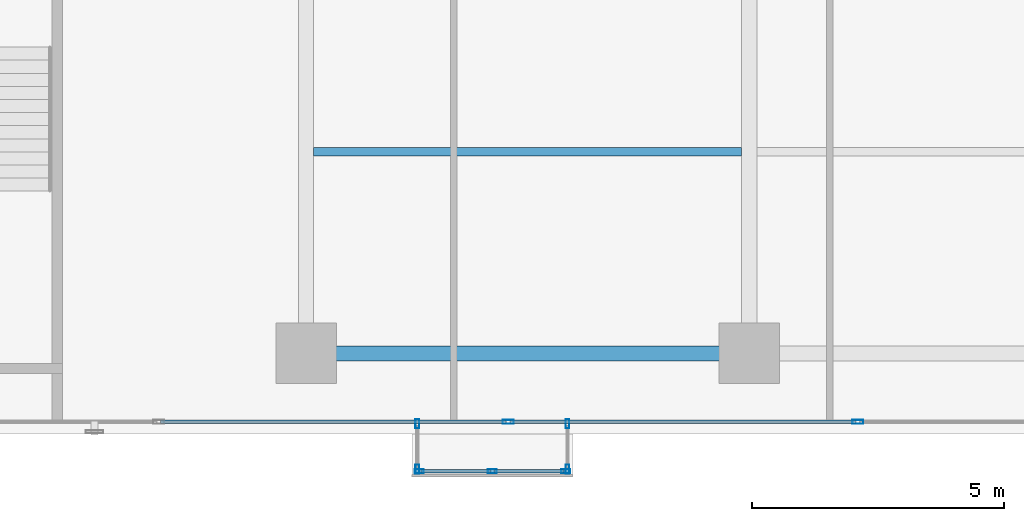
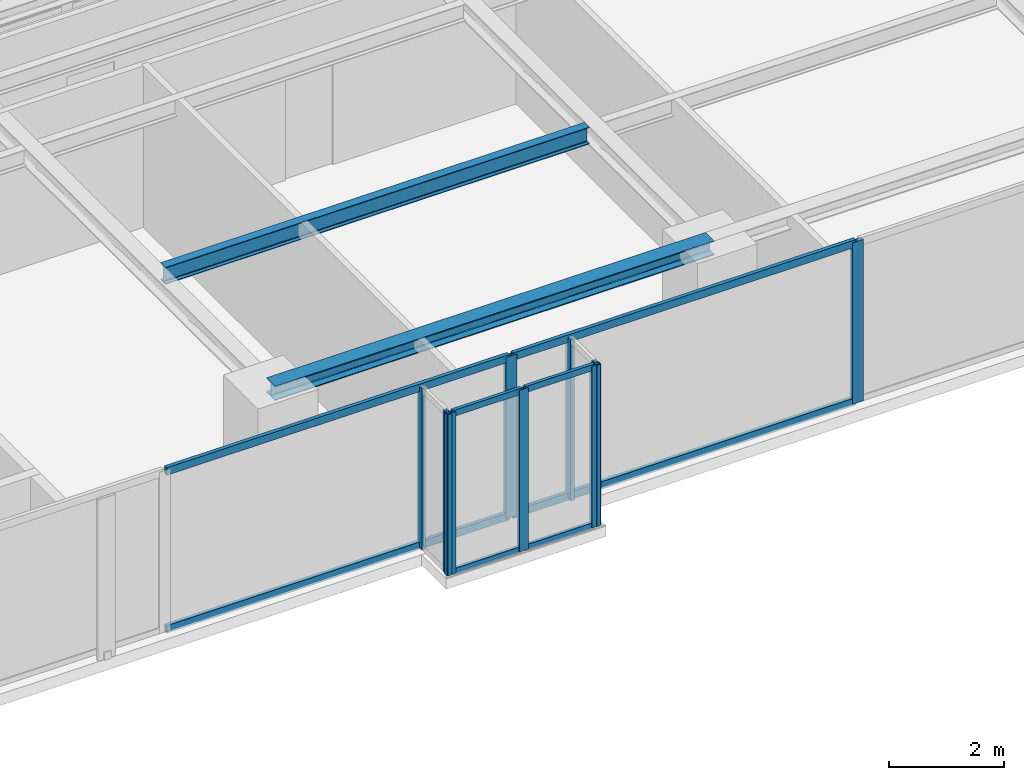
# One storey, part 10 of 26: 17 members, 2 beams, 4 elements without a shape of their own.
"""IFC4 building model written with IfcOpenShell, lengths in metres."""

from ifc_helpers import new_model, si_unit, direction, frame, origin, origin_with_axes, origin_2d, place, context, subcontext, project, spatial, hollow_rectangle, i_section, extrude, source, transform, mapped, material, layer, layer_set, material_profile, profile_set, type_object, element, aggregate, save


model = new_model("IFC4")

# Units and contexts
model_context = context("Model", 3, precision=1e-05, world=origin(), true_north=direction((0.0, 1.0)))
body_context = subcontext(model_context, "Body", "Model", "MODEL_VIEW")
ifc_project = project(units=[si_unit("LENGTHUNIT", "METRE"), si_unit("AREAUNIT", "SQUARE_METRE"), si_unit("VOLUMEUNIT", "CUBIC_METRE"), si_unit("PLANEANGLEUNIT", "RADIAN"), si_unit("MASSUNIT", "GRAM", prefix="KILO")], contexts=[model_context])

# Site, building, storey
site_placement = place(None, origin())
site = spatial("IfcSite", under=ifc_project, at=site_placement, CompositionType="ELEMENT")
building_placement = place(site_placement, origin())
building = spatial("IfcBuilding", under=site, at=building_placement, Name="Kolvaren Waterfront Exchange", CompositionType="ELEMENT")
storey_placement = place(building_placement, frame((0.0, 0.0, 195.60009765625)))
storey = spatial("IfcBuildingStorey", under=building, at=storey_placement, Name="L50", CompositionType="ELEMENT", Elevation=195.60009765625)

# Beams
ifc_material_1 = material(Name="Steel S355", Category="steel")
ifc_material_profile_1 = material_profile(ifc_material_1, i_section(OverallWidth=0.300048828125, OverallDepth=0.300048828125, WebThickness=0.010986328125, FlangeThickness=0.01904296875, FilletRadius=0.027099609375, at=origin_2d()), Name="HEB300")
ifc_profile_set_1 = profile_set([ifc_material_profile_1], Name="Steel S355")
beam_type_1 = type_object("IfcBeamType", Name="STR-BM-HEB300", PredefinedType="SPANDREL", material=ifc_profile_set_1)
beam_1_placement = place(storey_placement, frame((36.800048828125, 5.199951171875, 3.27001953125), z_axis=(1.0, 0.0, 0.0), x_axis=(0.0, 1.0, 0.0)))
element("IfcBeam", 1, at=beam_1_placement, inside=storey, type_object=beam_type_1, Name="L50 east-arm spandrel S3", PredefinedType="SPANDREL", context=body_context, shape_type="SweptSolid", body=[
    extrude(i_section(OverallWidth=0.300048828125, OverallDepth=0.300048828125, WebThickness=0.010986328125, FlangeThickness=0.01904296875, FilletRadius=0.027099609375, at=origin_2d()), origin(), (0.0, 0.0, 1.0), 8.800048828125),
])
ifc_material_profile_2 = material_profile(ifc_material_1, i_section(OverallWidth=0.169921875, OverallDepth=0.360107421875, WebThickness=0.008056640625, FlangeThickness=0.0126953125, FilletRadius=0.01806640625, at=origin_2d()), Name="IPE360")
ifc_profile_set_2 = profile_set([ifc_material_profile_2], Name="Steel S355")
beam_type_2 = type_object("IfcBeamType", Name="STR-BM-IPE360", PredefinedType="JOIST", material=ifc_profile_set_2)
beam_2_placement = place(storey_placement, frame((36.951904296875, 9.199951171875, 3.239990234375), z_axis=(1.0, 0.0, 0.0), x_axis=(0.0, 1.0, 0.0)))
element("IfcBeam", 2, at=beam_2_placement, inside=storey, type_object=beam_type_2, Name="L50 east-arm composite joist 3B", PredefinedType="JOIST", context=body_context, shape_type="SweptSolid", body=[
    extrude(i_section(OverallWidth=0.169921875, OverallDepth=0.360107421875, WebThickness=0.008056640625, FlangeThickness=0.0126953125, FilletRadius=0.01806640625, at=origin_2d()), origin(), (0.0, 0.0, 1.0), 8.49609375),
])

# Curtain wall, members
ifc_material_2 = material(Name="Anodised bronze aluminium 6063-T6", Category="aluminium")
ifc_layer_1 = layer(ifc_material_2, 0.219970703125, Name="Anodised bronze aluminium 6063-T6")
ifc_layer_set_1 = layer_set([ifc_layer_1], Name="Anodised bronze aluminium 6063-T6")
curtain_wall_type_1 = type_object("IfcCurtainWallType", Name="ARC-CW-SYS3", PredefinedType="USERDEFINED", material=ifc_layer_set_1)
curtain_wall_1_placement = place(storey_placement, origin())
curtain_wall_1 = element("IfcCurtainWall", 3, at=curtain_wall_1_placement, inside=storey, type_object=curtain_wall_type_1, Name="L50 stick curtain wall CW3 (CW-L50-BOX)", ObjectType="STICK CURTAIN WALL", PredefinedType="USERDEFINED")
ifc_material_profile_3 = material_profile(ifc_material_2, hollow_rectangle(XDim=0.06494140625, YDim=0.1298828125, WallThickness=0.00390625, at=origin_2d()), Name="ALU-TRN-130x65x4")
ifc_profile_set_3 = profile_set([ifc_material_profile_3], Name="Anodised bronze aluminium 6063-T6")
member_type_1 = type_object("IfcMemberType", Name="ARC-CWT-130", PredefinedType="USERDEFINED", material=ifc_profile_set_3)
shared_shape_1 = source(origin_with_axes(), body_context, "Body", "SweptSolid", [
    extrude(hollow_rectangle(XDim=0.06494140625, YDim=0.1298828125, WallThickness=0.00390625, at=origin_2d()), origin(), (0.0, 0.0, 1.0), 1.37744140625),
])
member_1_placement = place(storey_placement, frame((39.0849609375, 2.860107421875, 0.032470703125), z_axis=(1.0, 0.0, 0.0), x_axis=(0.0, 1.0, 0.0)))
member_1 = element("IfcMember", 4, at=member_1_placement, type_object=member_type_1, Name="CW3 transom 1.1", ObjectType="TRANSOM", PredefinedType="USERDEFINED", context=body_context, shape_type="MappedRepresentation", body=[
    mapped(shared_shape_1, transform((0.0, 0.0, 0.0), x_axis=(1.0, 0.0, 0.0), y_axis=(0.0, 1.0, 0.0), z_axis=(0.0, 0.0, 1.0), scale=1.0)),
])
member_2_placement = place(storey_placement, frame((39.0849609375, 2.860107421875, 3.387451171875), z_axis=(1.0, 0.0, 0.0), x_axis=(0.0, 1.0, 0.0)))
member_2 = element("IfcMember", 5, at=member_2_placement, type_object=member_type_1, Name="CW3 transom 1.2", ObjectType="TRANSOM", PredefinedType="USERDEFINED", context=body_context, shape_type="MappedRepresentation", body=[
    mapped(shared_shape_1, transform((0.0, 0.0, 0.0), x_axis=(1.0, 0.0, 0.0), y_axis=(0.0, 1.0, 0.0), z_axis=(0.0, 0.0, 1.0), scale=1.0)),
])
member_3_placement = place(storey_placement, frame((40.53759765625, 2.860107421875, 0.032470703125), z_axis=(1.0, 0.0, 0.0), x_axis=(0.0, 1.0, 0.0)))
member_3 = element("IfcMember", 6, at=member_3_placement, type_object=member_type_1, Name="CW3 transom 2.1", ObjectType="TRANSOM", PredefinedType="USERDEFINED", context=body_context, shape_type="MappedRepresentation", body=[
    mapped(shared_shape_1, transform((0.0, 0.0, 0.0), x_axis=(1.0, 0.0, 0.0), y_axis=(0.0, 1.0, 0.0), z_axis=(0.0, 0.0, 1.0), scale=1.0)),
])
member_4_placement = place(storey_placement, frame((40.53759765625, 2.860107421875, 3.387451171875), z_axis=(1.0, 0.0, 0.0), x_axis=(0.0, 1.0, 0.0)))
member_4 = element("IfcMember", 7, at=member_4_placement, type_object=member_type_1, Name="CW3 transom 2.2", ObjectType="TRANSOM", PredefinedType="USERDEFINED", context=body_context, shape_type="MappedRepresentation", body=[
    mapped(shared_shape_1, transform((0.0, 0.0, 0.0), x_axis=(1.0, 0.0, 0.0), y_axis=(0.0, 1.0, 0.0), z_axis=(0.0, 0.0, 1.0), scale=1.0)),
])

curtain_wall_2_placement = place(storey_placement, origin())
curtain_wall_2 = element("IfcCurtainWall", 8, at=curtain_wall_2_placement, inside=storey, type_object=curtain_wall_type_1, Name="L50 stick curtain wall CW3 (CW-L50-BOX-W)", ObjectType="STICK CURTAIN WALL", PredefinedType="USERDEFINED")
ifc_material_profile_4 = material_profile(ifc_material_2, hollow_rectangle(XDim=0.074951171875, YDim=0.179931640625, WallThickness=0.00439453125, at=origin_2d()), Name="ALU-MUL-180x75x4.5")
ifc_profile_set_4 = profile_set([ifc_material_profile_4], Name="Anodised bronze aluminium 6063-T6")
member_type_2 = type_object("IfcMemberType", Name="ARC-CWM-180", PredefinedType="MULLION", material=ifc_profile_set_4)
shared_shape_2 = source(origin_with_axes(), body_context, "Body", "SweptSolid", [
    extrude(hollow_rectangle(XDim=0.074951171875, YDim=0.179931640625, WallThickness=0.00439453125, at=origin_2d()), origin(), (0.0, 0.0, 1.0), 3.419921875),
])
member_5_placement = place(storey_placement, frame((39.010009765625, 3.802490234375, 0.0), z_axis=(0.0, 0.0, 1.0), x_axis=(1.0, 0.0, 0.0)))
member_5 = element("IfcMember", 9, at=member_5_placement, type_object=member_type_2, Name="CW3 mullion 1", PredefinedType="MULLION", context=body_context, shape_type="MappedRepresentation", body=[
    mapped(shared_shape_2, transform((0.0, 0.0, 0.0), x_axis=(1.0, 0.0, 0.0), y_axis=(0.0, 1.0, 0.0), z_axis=(0.0, 0.0, 1.0), scale=1.0)),
])
member_6_placement = place(storey_placement, frame((39.010009765625, 2.8974609375, 0.0), z_axis=(0.0, 0.0, 1.0), x_axis=(1.0, 0.0, 0.0)))
member_6 = element("IfcMember", 10, at=member_6_placement, type_object=member_type_2, Name="CW3 mullion 2", PredefinedType="MULLION", context=body_context, shape_type="MappedRepresentation", body=[
    mapped(shared_shape_2, transform((0.0, 0.0, 0.0), x_axis=(1.0, 0.0, 0.0), y_axis=(0.0, 1.0, 0.0), z_axis=(0.0, 0.0, 1.0), scale=1.0)),
])
aggregate(curtain_wall_2, [member_5, member_6])

# Member
member_7_placement = place(storey_placement, frame((39.047607421875, 2.860107421875, 0.0), z_axis=(0.0, 0.0, 1.0), x_axis=(0.0, 1.0, 0.0)))
member_7 = element("IfcMember", 11, at=member_7_placement, type_object=member_type_2, Name="CW3 mullion 1", PredefinedType="MULLION", context=body_context, shape_type="MappedRepresentation", body=[
    mapped(shared_shape_2, transform((0.0, 0.0, 0.0), x_axis=(1.0, 0.0, 0.0), y_axis=(0.0, 1.0, 0.0), z_axis=(0.0, 0.0, 1.0), scale=1.0)),
])

member_8_placement = place(storey_placement, frame((40.5, 2.860107421875, 0.0), z_axis=(0.0, 0.0, 1.0), x_axis=(0.0, 1.0, 0.0)))
member_8 = element("IfcMember", 12, at=member_8_placement, type_object=member_type_2, Name="CW3 mullion 2", PredefinedType="MULLION", context=body_context, shape_type="MappedRepresentation", body=[
    mapped(shared_shape_2, transform((0.0, 0.0, 0.0), x_axis=(1.0, 0.0, 0.0), y_axis=(0.0, 1.0, 0.0), z_axis=(0.0, 0.0, 1.0), scale=1.0)),
])

member_9_placement = place(storey_placement, frame((41.952392578125, 2.860107421875, 0.0), z_axis=(0.0, 0.0, 1.0), x_axis=(0.0, 1.0, 0.0)))
member_9 = element("IfcMember", 13, at=member_9_placement, type_object=member_type_2, Name="CW3 mullion 3", PredefinedType="MULLION", context=body_context, shape_type="MappedRepresentation", body=[
    mapped(shared_shape_2, transform((0.0, 0.0, 0.0), x_axis=(1.0, 0.0, 0.0), y_axis=(0.0, 1.0, 0.0), z_axis=(0.0, 0.0, 1.0), scale=1.0)),
])

aggregate(curtain_wall_1, [member_7, member_8, member_9, member_1, member_2, member_3, member_4])

# Curtain wall, members
curtain_wall_3_placement = place(storey_placement, origin())
curtain_wall_3 = element("IfcCurtainWall", 14, at=curtain_wall_3_placement, inside=storey, type_object=curtain_wall_type_1, Name="L50 stick curtain wall CW3 (CW-L50-BOX-E)", ObjectType="STICK CURTAIN WALL", PredefinedType="USERDEFINED")
member_10_placement = place(storey_placement, frame((41.989990234375, 2.8974609375, 0.0), z_axis=(0.0, 0.0, 1.0), x_axis=(-1.0, 0.0, 0.0)))
member_10 = element("IfcMember", 15, at=member_10_placement, type_object=member_type_2, Name="CW3 mullion 1", PredefinedType="MULLION", context=body_context, shape_type="MappedRepresentation", body=[
    mapped(shared_shape_2, transform((0.0, 0.0, 0.0), x_axis=(1.0, 0.0, 0.0), y_axis=(0.0, 1.0, 0.0), z_axis=(0.0, 0.0, 1.0), scale=1.0)),
])
member_11_placement = place(storey_placement, frame((41.989990234375, 3.802490234375, 0.0), z_axis=(0.0, 0.0, 1.0), x_axis=(-1.0, 0.0, 0.0)))
member_11 = element("IfcMember", 16, at=member_11_placement, type_object=member_type_2, Name="CW3 mullion 2", PredefinedType="MULLION", context=body_context, shape_type="MappedRepresentation", body=[
    mapped(shared_shape_2, transform((0.0, 0.0, 0.0), x_axis=(1.0, 0.0, 0.0), y_axis=(0.0, 1.0, 0.0), z_axis=(0.0, 0.0, 1.0), scale=1.0)),
])
aggregate(curtain_wall_3, [member_10, member_11])

ifc_layer_2 = layer(ifc_material_2, 0.219970703125, Name="Anodised bronze aluminium 6063-T6")
ifc_layer_set_2 = layer_set([ifc_layer_2], Name="Anodised bronze aluminium 6063-T6")
curtain_wall_type_2 = type_object("IfcCurtainWallType", Name="ARC-CW-SYS1", PredefinedType="USERDEFINED", material=ifc_layer_set_2)
curtain_wall_4_placement = place(storey_placement, origin())
curtain_wall_4 = element("IfcCurtainWall", 17, at=curtain_wall_4_placement, inside=storey, type_object=curtain_wall_type_2, Name="L50 stick curtain wall CW1 (CW-L50-S)", ObjectType="STICK CURTAIN WALL", PredefinedType="USERDEFINED")
ifc_material_3 = material(Name="Anodised aluminium 6063-T6", Category="aluminium")
ifc_material_profile_5 = material_profile(ifc_material_3, hollow_rectangle(XDim=0.080078125, YDim=0.219970703125, WallThickness=0.0048828125, at=origin_2d()), Name="ALU-MUL-220x80x5")
ifc_profile_set_5 = profile_set([ifc_material_profile_5], Name="Anodised aluminium 6063-T6")
member_type_3 = type_object("IfcMemberType", Name="ARC-CWM-220", PredefinedType="MULLION", material=ifc_profile_set_5)
shared_shape_3 = source(origin_with_axes(), body_context, "Body", "SweptSolid", [
    extrude(hollow_rectangle(XDim=0.080078125, YDim=0.219970703125, WallThickness=0.0048828125, at=origin_2d()), origin(), (0.0, 0.0, 1.0), 3.419921875),
])
member_12_placement = place(storey_placement, frame((40.814208984375, 3.840087890625, 0.0), z_axis=(0.0, 0.0, 1.0), x_axis=(0.0, 1.0, 0.0)))
member_12 = element("IfcMember", 18, at=member_12_placement, type_object=member_type_3, Name="CW1 mullion 6", PredefinedType="MULLION", context=body_context, shape_type="MappedRepresentation", body=[
    mapped(shared_shape_3, transform((0.0, 0.0, 0.0), x_axis=(1.0, 0.0, 0.0), y_axis=(0.0, 1.0, 0.0), z_axis=(0.0, 0.0, 1.0), scale=1.0)),
])
member_13_placement = place(storey_placement, frame((47.757080078125, 3.840087890625, 0.0), z_axis=(0.0, 0.0, 1.0), x_axis=(0.0, 1.0, 0.0)))
member_13 = element("IfcMember", 19, at=member_13_placement, type_object=member_type_3, Name="CW1 mullion 7", PredefinedType="MULLION", context=body_context, shape_type="MappedRepresentation", body=[
    mapped(shared_shape_3, transform((0.0, 0.0, 0.0), x_axis=(1.0, 0.0, 0.0), y_axis=(0.0, 1.0, 0.0), z_axis=(0.0, 0.0, 1.0), scale=1.0)),
])
ifc_material_profile_6 = material_profile(ifc_material_3, hollow_rectangle(XDim=0.074951171875, YDim=0.159912109375, WallThickness=0.00439453125, at=origin_2d()), Name="ALU-TRN-160x75x4.5")
ifc_profile_set_6 = profile_set([ifc_material_profile_6], Name="Anodised aluminium 6063-T6")
member_type_4 = type_object("IfcMemberType", Name="ARC-CWT-160", PredefinedType="USERDEFINED", material=ifc_profile_set_6)
shared_shape_4 = source(origin_with_axes(), body_context, "Body", "SweptSolid", [
    extrude(hollow_rectangle(XDim=0.074951171875, YDim=0.159912109375, WallThickness=0.00439453125, at=origin_2d()), origin(), (0.0, 0.0, 1.0), 6.86279296875),
])
member_14_placement = place(storey_placement, frame((33.911376953125, 3.840087890625, 0.037353515625), z_axis=(1.0, 0.0, 0.0), x_axis=(0.0, 1.0, 0.0)))
member_14 = element("IfcMember", 20, at=member_14_placement, type_object=member_type_4, Name="CW1 transom 5.1", ObjectType="TRANSOM", PredefinedType="USERDEFINED", context=body_context, shape_type="MappedRepresentation", body=[
    mapped(shared_shape_4, transform((0.0, 0.0, 0.0), x_axis=(1.0, 0.0, 0.0), y_axis=(0.0, 1.0, 0.0), z_axis=(0.0, 0.0, 1.0), scale=1.0)),
])
member_15_placement = place(storey_placement, frame((33.911376953125, 3.840087890625, 3.38232421875), z_axis=(1.0, 0.0, 0.0), x_axis=(0.0, 1.0, 0.0)))
member_15 = element("IfcMember", 21, at=member_15_placement, type_object=member_type_4, Name="CW1 transom 5.2", ObjectType="TRANSOM", PredefinedType="USERDEFINED", context=body_context, shape_type="MappedRepresentation", body=[
    mapped(shared_shape_4, transform((0.0, 0.0, 0.0), x_axis=(1.0, 0.0, 0.0), y_axis=(0.0, 1.0, 0.0), z_axis=(0.0, 0.0, 1.0), scale=1.0)),
])
member_16_placement = place(storey_placement, frame((40.854248046875, 3.840087890625, 0.037353515625), z_axis=(1.0, 0.0, 0.0), x_axis=(0.0, 1.0, 0.0)))
member_16 = element("IfcMember", 22, at=member_16_placement, type_object=member_type_4, Name="CW1 transom 6.1", ObjectType="TRANSOM", PredefinedType="USERDEFINED", context=body_context, shape_type="MappedRepresentation", body=[
    mapped(shared_shape_4, transform((0.0, 0.0, 0.0), x_axis=(1.0, 0.0, 0.0), y_axis=(0.0, 1.0, 0.0), z_axis=(0.0, 0.0, 1.0), scale=1.0)),
])
member_17_placement = place(storey_placement, frame((40.854248046875, 3.840087890625, 3.38232421875), z_axis=(1.0, 0.0, 0.0), x_axis=(0.0, 1.0, 0.0)))
member_17 = element("IfcMember", 23, at=member_17_placement, type_object=member_type_4, Name="CW1 transom 6.2", ObjectType="TRANSOM", PredefinedType="USERDEFINED", context=body_context, shape_type="MappedRepresentation", body=[
    mapped(shared_shape_4, transform((0.0, 0.0, 0.0), x_axis=(1.0, 0.0, 0.0), y_axis=(0.0, 1.0, 0.0), z_axis=(0.0, 0.0, 1.0), scale=1.0)),
])
aggregate(curtain_wall_4, [member_12, member_13, member_14, member_15, member_16, member_17])

save(model, "model.ifc")
